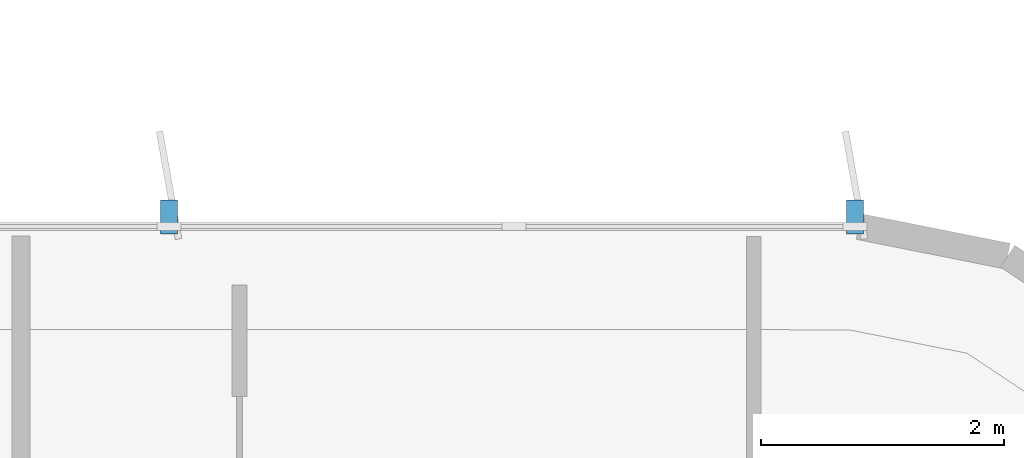
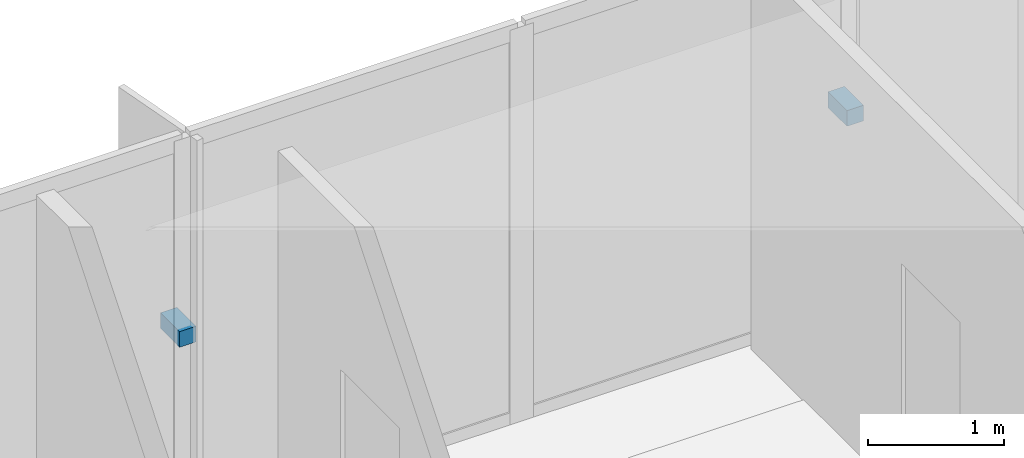
# One storey, part 14 of 18: 2 discrete accessories.
"""IFC4 building model written with IfcOpenShell, lengths in metres."""

from ifc_helpers import new_model, si_unit, direction, frame, origin, origin_2d, place, context, subcontext, project, spatial, rectangle, extrude, source, transform, mapped, material, type_object, element, save


model = new_model("IFC4")

# Units and contexts
model_context = context("Model", 3, precision=1e-05, world=origin(), true_north=direction((0.0, 1.0)))
body_context = subcontext(model_context, "Body", "Model", "MODEL_VIEW")
ifc_project = project(units=[si_unit("LENGTHUNIT", "METRE"), si_unit("AREAUNIT", "SQUARE_METRE"), si_unit("VOLUMEUNIT", "CUBIC_METRE"), si_unit("PLANEANGLEUNIT", "RADIAN"), si_unit("MASSUNIT", "GRAM", prefix="KILO")], contexts=[model_context])

# Site, building, storey
site_placement = place(None, origin())
site = spatial("IfcSite", under=ifc_project, at=site_placement, CompositionType="ELEMENT")
building_placement = place(site_placement, origin())
building = spatial("IfcBuilding", under=site, at=building_placement, Name="Brelvock Crest Care Tower", CompositionType="ELEMENT")
storey_placement = place(building_placement, frame((0.0, 0.0, 72.360107421875)))
storey = spatial("IfcBuildingStorey", under=building, at=storey_placement, Name="L18", CompositionType="ELEMENT", Elevation=72.360107421875)

# Discrete accessories
ifc_material = material(Name="Steel Grade 350", Category="steel")
discrete_accessory_type = type_object("IfcDiscreteAccessoryType", Name="ACC-BRK1", PredefinedType="BRACKET", material=ifc_material)
shared_shape = source(origin(), body_context, "Body", "SweptSolid", [
    extrude(rectangle(XDim=0.280029296875, YDim=0.139892578125, at=origin_2d()), origin(), (0.0, 0.0, 1.0), 0.139892578125),
])
for number, where, z_axis, x_axis, name in (
    (1, (51.1201171875, 36.080078125, 1.69482421875), (0.0, 0.0, 1.0), (0.0, 1.0, 0.0), "L18 Facade Fin Bracket E30-04"),
    (2, (56.767578125, 36.080078125, 1.69482421875), (0.0, 0.0, 1.0), (0.0, 1.0, 0.0), "L18 Facade Fin Bracket E30-06"),
):
    element("IfcDiscreteAccessory", number, at=place(storey_placement, frame(where, z_axis=z_axis, x_axis=x_axis)), inside=storey, type_object=discrete_accessory_type, Name=name, PredefinedType="BRACKET", context=body_context, shape_type="MappedRepresentation", body=[
        mapped(shared_shape, transform((0.0, 0.0, 0.0), x_axis=(1.0, 0.0, 0.0), y_axis=(0.0, 1.0, 0.0), z_axis=(0.0, 0.0, 1.0), scale=1.0)),
    ])

save(model, "model.ifc")
